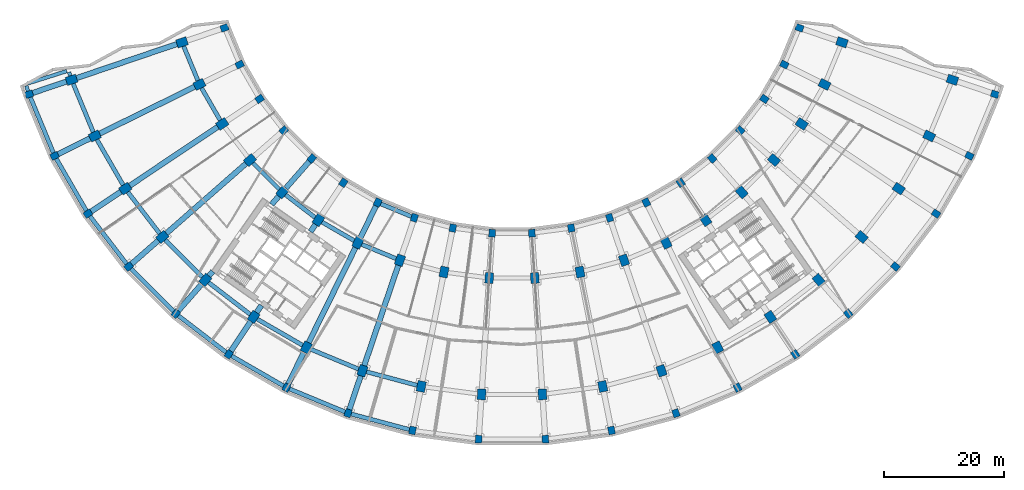
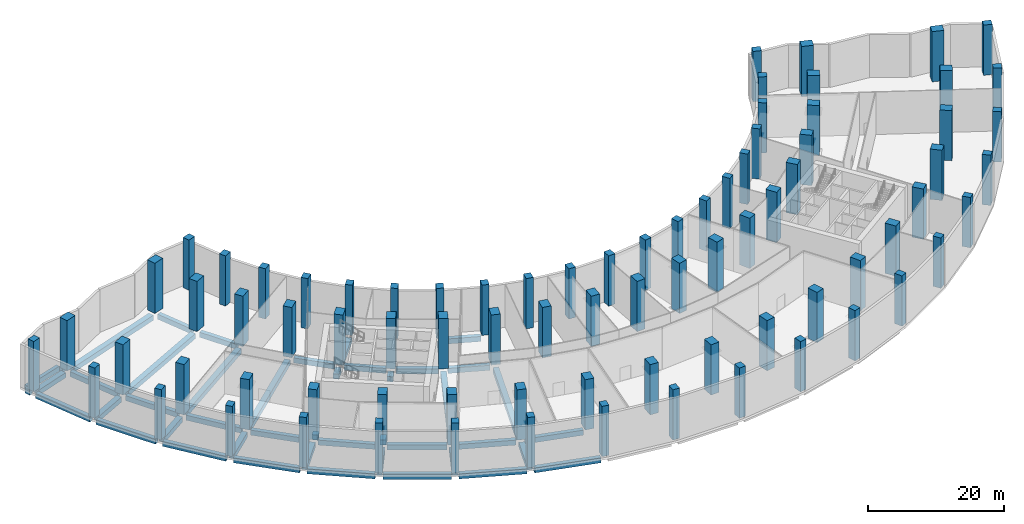
# One storey, part 1 of 17: 80 columns, 46 beams.
"""IFC4 building model written with IfcOpenShell, lengths in metres."""

from ifc_helpers import new_model, si_unit, direction, frame, origin, origin_2d, place, context, subcontext, project, spatial, rectangle, extrude, material, material_profile, profile_set, type_object, element, save


model = new_model("IFC4")

# Units and contexts
model_context = context("Model", 3, precision=1e-05, world=origin(), true_north=direction((0.0, 1.0)))
body_context = subcontext(model_context, "Body", "Model", "MODEL_VIEW")
ifc_project = project(units=[si_unit("LENGTHUNIT", "METRE"), si_unit("AREAUNIT", "SQUARE_METRE"), si_unit("VOLUMEUNIT", "CUBIC_METRE"), si_unit("PLANEANGLEUNIT", "RADIAN"), si_unit("MASSUNIT", "GRAM", prefix="KILO")], contexts=[model_context])

# Site, building, storey
site_placement = place(None, origin())
site = spatial("IfcSite", under=ifc_project, at=site_placement, CompositionType="ELEMENT")
building_placement = place(site_placement, origin())
building = spatial("IfcBuilding", under=site, at=building_placement, Name="Qamariyya Broadcast Tower", CompositionType="ELEMENT")
storey_placement = place(building_placement, frame((0.0, 0.0, 18.0)))
storey = spatial("IfcBuildingStorey", under=building, at=storey_placement, Name="L02", CompositionType="ELEMENT", Elevation=18.0)

# Columns
ifc_material_1 = material(Name="Concrete C70/85", Category="concrete")
ifc_material_profile_1 = material_profile(ifc_material_1, rectangle(XDim=1.10009765625, YDim=1.300048828125, at=origin_2d()))
ifc_profile_set_1 = profile_set([ifc_material_profile_1], Name="Concrete C70/85")
column_type_1 = type_object("IfcColumnType", Name="RC column 1100 x 1300 C70/85", PredefinedType="COLUMN", material=ifc_profile_set_1)
for number, where, z_axis, x_axis, name in (
    (1, (-48.056640625, -16.31298828125, 0.0), (0.0, 0.0, 1.0), (0.321439465303, -0.946930129495, 0.0), "Column C3 L02 A-R01"),
    (2, (-80.725830078125, -27.40283203125, 0.0), (0.0, 0.0, 1.0), (0.321439465303, -0.946930129495, 0.0), "Column C3 L02 D-R01"),
    (3, (-45.516357421875, -22.446044921875, 0.0), (0.0, 0.0, 1.0), (0.442288690219, -0.896872741533, 0.0), "Column C3 L02 A-R02"),
    (4, (-76.45849609375, -37.705078125, 0.0), (0.0, 0.0, 1.0), (0.442288690219, -0.896872741533, 0.0), "Column C3 L02 D-R02"),
    (5, (-42.197021484375, -28.195068359375, 0.0), (0.0, 0.0, 1.0), (0.55557023302, -0.831469612303, 0.0), "Column C3 L02 A-R03"),
    (6, (-70.8828125, -47.3623046875, 0.0), (0.0, 0.0, 1.0), (0.55557023302, -0.831469612303, 0.0), "Column C3 L02 D-R03"),
    (7, (-38.15576171875, -33.4619140625, 0.0), (0.0, 0.0, 1.0), (0.6593458151, -0.751839807479, 0.0), "Column C3 L02 A-R04"),
    (8, (-64.09423828125, -56.209228515625, 0.0), (0.0, 0.0, 1.0), (0.6593458151, -0.751839807479, 0.0), "Column C3 L02 D-R04"),
    (9, (-33.4619140625, -38.15576171875, 0.0), (0.0, 0.0, 1.0), (0.751839807479, -0.6593458151, 0.0), "Column C3 L02 A-R05"),
    (10, (-56.209228515625, -64.09423828125, 0.0), (0.0, 0.0, 1.0), (0.751839807479, -0.6593458151, 0.0), "Column C3 L02 D-R05"),
    (11, (-28.195068359375, -42.197021484375, 0.0), (0.0, 0.0, 1.0), (0.831469612303, -0.55557023302, 0.0), "Column C3 L02 A-R06"),
    (12, (-47.3623046875, -70.8828125, 0.0), (0.0, 0.0, 1.0), (0.831469612303, -0.55557023302, 0.0), "Column C3 L02 D-R06"),
    (13, (-22.446044921875, -45.516357421875, 0.0), (0.0, 0.0, 1.0), (0.896872741533, -0.442288690219, 0.0), "Column C3 L02 A-R07"),
    (14, (-37.705078125, -76.45849609375, 0.0), (0.0, 0.0, 1.0), (0.896872741533, -0.442288690219, 0.0), "Column C3 L02 D-R07"),
    (15, (-16.31298828125, -48.056640625, 0.0), (0.0, 0.0, 1.0), (0.946930129495, -0.321439465303, 0.0), "Column C3 L02 A-R08"),
    (16, (-27.40283203125, -80.725830078125, 0.0), (0.0, 0.0, 1.0), (0.946930129495, -0.321439465303, 0.0), "Column C3 L02 D-R08"),
    (17, (-9.90087890625, -49.77490234375, 0.0), (0.0, 0.0, 1.0), (0.980785280403, -0.195090322016, 0.0), "Column C3 L02 A-R09"),
    (18, (-16.63134765625, -83.612060546875, 0.0), (0.0, 0.0, 1.0), (0.980785280403, -0.195090322016, 0.0), "Column C3 L02 D-R09"),
    (19, (-3.319091796875, -50.641357421875, 0.0), (0.0, 0.0, 1.0), (0.997858923239, -0.06540312923, 0.0), "Column C3 L02 A-R10"),
    (20, (-5.57568359375, -85.0673828125, 0.0), (0.0, 0.0, 1.0), (0.997858923239, -0.06540312923, 0.0), "Column C3 L02 D-R10"),
    (21, (3.319091796875, -50.641357421875, 0.0), (0.0, 0.0, 1.0), (0.997858923239, 0.06540312923, 0.0), "Column C3 L02 A-R11"),
    (22, (5.57568359375, -85.0673828125, 0.0), (0.0, 0.0, 1.0), (0.997858923239, 0.06540312923, 0.0), "Column C3 L02 D-R11"),
    (23, (9.90087890625, -49.77490234375, 0.0), (0.0, 0.0, 1.0), (0.980785280403, 0.195090322016, 0.0), "Column C3 L02 A-R12"),
    (24, (16.63134765625, -83.612060546875, 0.0), (0.0, 0.0, 1.0), (0.980785280403, 0.195090322016, 0.0), "Column C3 L02 D-R12"),
    (25, (16.31298828125, -48.056640625, 0.0), (0.0, 0.0, 1.0), (0.946930129495, 0.321439465303, 0.0), "Column C3 L02 A-R13"),
    (26, (27.40283203125, -80.725830078125, 0.0), (0.0, 0.0, 1.0), (0.946930129495, 0.321439465303, 0.0), "Column C3 L02 D-R13"),
    (27, (22.446044921875, -45.516357421875, 0.0), (0.0, 0.0, 1.0), (0.896872741533, 0.442288690219, 0.0), "Column C3 L02 A-R14"),
    (28, (37.705078125, -76.45849609375, 0.0), (0.0, 0.0, 1.0), (0.896872741533, 0.442288690219, 0.0), "Column C3 L02 D-R14"),
    (29, (28.195068359375, -42.197021484375, 0.0), (0.0, 0.0, 1.0), (0.831469612303, 0.55557023302, 0.0), "Column C3 L02 A-R15"),
    (30, (47.3623046875, -70.8828125, 0.0), (0.0, 0.0, 1.0), (0.831469612303, 0.55557023302, 0.0), "Column C3 L02 D-R15"),
    (31, (33.4619140625, -38.15576171875, 0.0), (0.0, 0.0, 1.0), (0.751839807479, 0.6593458151, 0.0), "Column C3 L02 A-R16"),
    (32, (56.209228515625, -64.09423828125, 0.0), (0.0, 0.0, 1.0), (0.751839807479, 0.6593458151, 0.0), "Column C3 L02 D-R16"),
    (33, (38.15576171875, -33.4619140625, 0.0), (0.0, 0.0, 1.0), (0.6593458151, 0.751839807479, 0.0), "Column C3 L02 A-R17"),
    (34, (64.09423828125, -56.209228515625, 0.0), (0.0, 0.0, 1.0), (0.6593458151, 0.751839807479, 0.0), "Column C3 L02 D-R17"),
    (35, (42.197021484375, -28.195068359375, 0.0), (0.0, 0.0, 1.0), (0.55557023302, 0.831469612303, 0.0), "Column C3 L02 A-R18"),
    (36, (70.8828125, -47.3623046875, 0.0), (0.0, 0.0, 1.0), (0.55557023302, 0.831469612303, 0.0), "Column C3 L02 D-R18"),
    (37, (45.516357421875, -22.446044921875, 0.0), (0.0, 0.0, 1.0), (0.442288690219, 0.896872741533, 0.0), "Column C3 L02 A-R19"),
    (38, (76.45849609375, -37.705078125, 0.0), (0.0, 0.0, 1.0), (0.442288690219, 0.896872741533, 0.0), "Column C3 L02 D-R19"),
    (39, (48.056640625, -16.31298828125, 0.0), (0.0, 0.0, 1.0), (0.321439465303, 0.946930129495, 0.0), "Column C3 L02 A-R20"),
    (40, (80.725830078125, -27.40283203125, 0.0), (0.0, 0.0, 1.0), (0.321439465303, 0.946930129495, 0.0), "Column C3 L02 D-R20"),
):
    element("IfcColumn", number, at=place(storey_placement, frame(where, z_axis=z_axis, x_axis=x_axis)), inside=storey, type_object=column_type_1, Name=name, PredefinedType="COLUMN", context=body_context, shape_type="SweptSolid", body=[
        extrude(rectangle(XDim=1.10009765625, YDim=1.300048828125, at=origin_2d()), origin(), (0.0, 0.0, 1.0), 9.0),
    ])
ifc_material_profile_2 = material_profile(ifc_material_1, rectangle(XDim=1.39990234375, YDim=1.800048828125, at=origin_2d()))
ifc_profile_set_2 = profile_set([ifc_material_profile_2], Name="Concrete C70/85")
column_type_2 = type_object("IfcColumnType", Name="RC column 1400 x 1800 C70/85", PredefinedType="COLUMN", material=ifc_profile_set_2)
for number, where, z_axis, x_axis, name in (
    (41, (-55.15869140625, -18.723876953125, 0.0), (0.0, 0.0, 1.0), (0.321439465303, -0.946930129495, 0.0), "Column C4 L02 B-R01"),
    (42, (-73.623779296875, -24.991943359375, 0.0), (0.0, 0.0, 1.0), (0.321439465303, -0.946930129495, 0.0), "Column C4 L02 C-R01"),
    (43, (-52.242919921875, -25.763427734375, 0.0), (0.0, 0.0, 1.0), (0.442288690219, -0.896872741533, 0.0), "Column C4 L02 B-R02"),
    (44, (-69.73193359375, -34.387939453125, 0.0), (0.0, 0.0, 1.0), (0.442288690219, -0.896872741533, 0.0), "Column C4 L02 C-R02"),
    (45, (-48.43310546875, -32.362060546875, 0.0), (0.0, 0.0, 1.0), (0.55557023302, -0.831469612303, 0.0), "Column C4 L02 B-R03"),
    (46, (-64.646728515625, -43.195556640625, 0.0), (0.0, 0.0, 1.0), (0.55557023302, -0.831469612303, 0.0), "Column C4 L02 C-R03"),
    (47, (-43.794677734375, -38.406982421875, 0.0), (0.0, 0.0, 1.0), (0.6593458151, -0.751839807479, 0.0), "Column C4 L02 B-R04"),
    (48, (-58.45556640625, -51.26416015625, 0.0), (0.0, 0.0, 1.0), (0.6593458151, -0.751839807479, 0.0), "Column C4 L02 C-R04"),
    (49, (-38.406982421875, -43.794677734375, 0.0), (0.0, 0.0, 1.0), (0.751839807479, -0.6593458151, 0.0), "Column C4 L02 B-R05"),
    (50, (-51.26416015625, -58.45556640625, 0.0), (0.0, 0.0, 1.0), (0.751839807479, -0.6593458151, 0.0), "Column C4 L02 C-R05"),
    (51, (-32.362060546875, -48.43310546875, 0.0), (0.0, 0.0, 1.0), (0.831469612303, -0.55557023302, 0.0), "Column C4 L02 B-R06"),
    (52, (-43.195556640625, -64.646728515625, 0.0), (0.0, 0.0, 1.0), (0.831469612303, -0.55557023302, 0.0), "Column C4 L02 C-R06"),
    (53, (-25.763427734375, -52.242919921875, 0.0), (0.0, 0.0, 1.0), (0.896872741533, -0.442288690219, 0.0), "Column C4 L02 B-R07"),
    (54, (-34.387939453125, -69.73193359375, 0.0), (0.0, 0.0, 1.0), (0.896872741533, -0.442288690219, 0.0), "Column C4 L02 C-R07"),
    (55, (-18.723876953125, -55.15869140625, 0.0), (0.0, 0.0, 1.0), (0.946930129495, -0.321439465303, 0.0), "Column C4 L02 B-R08"),
    (56, (-24.991943359375, -73.623779296875, 0.0), (0.0, 0.0, 1.0), (0.946930129495, -0.321439465303, 0.0), "Column C4 L02 C-R08"),
    (57, (-11.364013671875, -57.130859375, 0.0), (0.0, 0.0, 1.0), (0.980785280403, -0.195090322016, 0.0), "Column C4 L02 B-R09"),
    (58, (-15.168212890625, -76.256103515625, 0.0), (0.0, 0.0, 1.0), (0.980785280403, -0.195090322016, 0.0), "Column C4 L02 C-R09"),
    (59, (-3.809814453125, -58.125244140625, 0.0), (0.0, 0.0, 1.0), (0.997858923239, -0.06540312923, 0.0), "Column C4 L02 B-R10"),
    (60, (-5.085205078125, -77.58349609375, 0.0), (0.0, 0.0, 1.0), (0.997858923239, -0.06540312923, 0.0), "Column C4 L02 C-R10"),
    (61, (3.809814453125, -58.125244140625, 0.0), (0.0, 0.0, 1.0), (0.997858923239, 0.06540312923, 0.0), "Column C4 L02 B-R11"),
    (62, (5.085205078125, -77.58349609375, 0.0), (0.0, 0.0, 1.0), (0.997858923239, 0.06540312923, 0.0), "Column C4 L02 C-R11"),
    (63, (11.364013671875, -57.130859375, 0.0), (0.0, 0.0, 1.0), (0.980785280403, 0.195090322016, 0.0), "Column C4 L02 B-R12"),
    (64, (15.168212890625, -76.256103515625, 0.0), (0.0, 0.0, 1.0), (0.980785280403, 0.195090322016, 0.0), "Column C4 L02 C-R12"),
    (65, (18.723876953125, -55.15869140625, 0.0), (0.0, 0.0, 1.0), (0.946930129495, 0.321439465303, 0.0), "Column C4 L02 B-R13"),
    (66, (24.991943359375, -73.623779296875, 0.0), (0.0, 0.0, 1.0), (0.946930129495, 0.321439465303, 0.0), "Column C4 L02 C-R13"),
    (67, (25.763427734375, -52.242919921875, 0.0), (0.0, 0.0, 1.0), (0.896872741533, 0.442288690219, 0.0), "Column C4 L02 B-R14"),
    (68, (34.387939453125, -69.73193359375, 0.0), (0.0, 0.0, 1.0), (0.896872741533, 0.442288690219, 0.0), "Column C4 L02 C-R14"),
    (69, (32.362060546875, -48.43310546875, 0.0), (0.0, 0.0, 1.0), (0.831469612303, 0.55557023302, 0.0), "Column C4 L02 B-R15"),
    (70, (43.195556640625, -64.646728515625, 0.0), (0.0, 0.0, 1.0), (0.831469612303, 0.55557023302, 0.0), "Column C4 L02 C-R15"),
    (71, (38.406982421875, -43.794677734375, 0.0), (0.0, 0.0, 1.0), (0.751839807479, 0.6593458151, 0.0), "Column C4 L02 B-R16"),
    (72, (51.26416015625, -58.45556640625, 0.0), (0.0, 0.0, 1.0), (0.751839807479, 0.6593458151, 0.0), "Column C4 L02 C-R16"),
    (73, (43.794677734375, -38.406982421875, 0.0), (0.0, 0.0, 1.0), (0.6593458151, 0.751839807479, 0.0), "Column C4 L02 B-R17"),
    (74, (58.45556640625, -51.26416015625, 0.0), (0.0, 0.0, 1.0), (0.6593458151, 0.751839807479, 0.0), "Column C4 L02 C-R17"),
    (75, (48.43310546875, -32.362060546875, 0.0), (0.0, 0.0, 1.0), (0.55557023302, 0.831469612303, 0.0), "Column C4 L02 B-R18"),
    (76, (64.646728515625, -43.195556640625, 0.0), (0.0, 0.0, 1.0), (0.55557023302, 0.831469612303, 0.0), "Column C4 L02 C-R18"),
    (77, (52.242919921875, -25.763427734375, 0.0), (0.0, 0.0, 1.0), (0.442288690219, 0.896872741533, 0.0), "Column C4 L02 B-R19"),
    (78, (69.73193359375, -34.387939453125, 0.0), (0.0, 0.0, 1.0), (0.442288690219, 0.896872741533, 0.0), "Column C4 L02 C-R19"),
    (79, (55.15869140625, -18.723876953125, 0.0), (0.0, 0.0, 1.0), (0.321439465303, 0.946930129495, 0.0), "Column C4 L02 B-R20"),
    (80, (73.623779296875, -24.991943359375, 0.0), (0.0, 0.0, 1.0), (0.321439465303, 0.946930129495, 0.0), "Column C4 L02 C-R20"),
):
    element("IfcColumn", number, at=place(storey_placement, frame(where, z_axis=z_axis, x_axis=x_axis)), inside=storey, type_object=column_type_2, Name=name, PredefinedType="COLUMN", context=body_context, shape_type="SweptSolid", body=[
        extrude(rectangle(XDim=1.39990234375, YDim=1.800048828125, at=origin_2d()), origin(), (0.0, 0.0, 1.0), 9.0),
    ])

# Beams
ifc_material_2 = material(Name="Concrete C50/60", Category="concrete")
ifc_material_profile_3 = material_profile(ifc_material_2, rectangle(XDim=0.699951171875, YDim=0.89990234375, at=origin_2d()))
ifc_profile_set_3 = profile_set([ifc_material_profile_3], Name="Concrete C50/60")
beam_type_1 = type_object("IfcBeamType", Name="RC edge beam 700 x 900 C50/60", PredefinedType="SPANDREL", material=ifc_profile_set_3)
beam_1_placement = place(storey_placement, frame((-21.93701171875, -45.727294921875, -0.85009765625), z_axis=(0.92389160204, -0.382654292645, 0.0), x_axis=(0.382654292645, 0.92389160204, 0.0)))
element("IfcBeam", 81, at=beam_1_placement, inside=storey, type_object=beam_type_1, Name="Edge beam B2 L02 A R07-R08", PredefinedType="SPANDREL", context=body_context, shape_type="SweptSolid", body=[
    extrude(rectangle(XDim=0.699951171875, YDim=0.89990234375, at=origin_2d()), origin(), (0.0, 0.0, 1.0), 5.5361328125),
])
for number, where, z_axis, x_axis, name in (
    (82, (-54.89013671875, -19.3720703125, -0.85009765625), (0.38268477858, -0.92387897489, 0.0), (0.92387897489, 0.38268477858, 0.0), "Edge beam B2 L02 B R01-R02"),
    (83, (-51.89208984375, -26.370849609375, -0.85009765625), (0.499995558535, -0.86602796805, 0.0), (0.86602796805, 0.499995558535, 0.0), "Edge beam B2 L02 B R02-R03"),
):
    element("IfcBeam", number, at=place(storey_placement, frame(where, z_axis=z_axis, x_axis=x_axis)), inside=storey, type_object=beam_type_1, Name=name, PredefinedType="SPANDREL", context=body_context, shape_type="SweptSolid", body=[
        extrude(rectangle(XDim=0.699951171875, YDim=0.89990234375, at=origin_2d()), origin(), (0.0, 0.0, 1.0), 6.21630859375),
    ])
for number, where, z_axis, x_axis, name in (
    (84, (-43.298583984375, -38.90283203125, -0.85009765625), (0.707106781187, -0.707106781187, 0.0), (0.707106781187, 0.707106781187, 0.0), "Edge beam B2 L02 B R04-R05"),
    (85, (-37.850341796875, -44.2216796875, -0.85009765625), (0.793349024913, -0.608767052878, 0.0), (0.608767052878, 0.793349024913, 0.0), "Edge beam B2 L02 B R05-R06"),
):
    element("IfcBeam", number, at=place(storey_placement, frame(where, z_axis=z_axis, x_axis=x_axis)), inside=storey, type_object=beam_type_1, Name=name, PredefinedType="SPANDREL", context=body_context, shape_type="SweptSolid", body=[
        extrude(rectangle(XDim=0.699951171875, YDim=0.89990234375, at=origin_2d()), origin(), (0.0, 0.0, 1.0), 6.216552734375),
    ])
for number, where, z_axis, x_axis, name in (
    (86, (-31.75439453125, -48.783935546875, -0.85009765625), (0.86602796805, -0.499995558535, 0.0), (0.499995558535, 0.86602796805, 0.0), "Edge beam B2 L02 B R06-R07"),
    (87, (-25.115234375, -52.51123046875, -0.85009765625), (0.92387897489, -0.38268477858, 0.0), (0.38268477858, 0.92387897489, 0.0), "Edge beam B2 L02 B R07-R08"),
):
    element("IfcBeam", number, at=place(storey_placement, frame(where, z_axis=z_axis, x_axis=x_axis)), inside=storey, type_object=beam_type_1, Name=name, PredefinedType="SPANDREL", context=body_context, shape_type="SweptSolid", body=[
        extrude(rectangle(XDim=0.699951171875, YDim=0.89990234375, at=origin_2d()), origin(), (0.0, 0.0, 1.0), 6.21630859375),
    ])
beam_2_placement = place(storey_placement, frame((-73.35546875, -25.64013671875, -0.85009765625), z_axis=(0.38270841035, -0.923869185896, 0.0), x_axis=(0.923869185896, 0.38270841035, 0.0)))
element("IfcBeam", 88, at=beam_2_placement, inside=storey, type_object=beam_type_1, Name="Edge beam B2 L02 C R01-R02", PredefinedType="SPANDREL", context=body_context, shape_type="SweptSolid", body=[
    extrude(rectangle(XDim=0.699951171875, YDim=0.89990234375, at=origin_2d()), origin(), (0.0, 0.0, 1.0), 8.76708984375),
])
beam_3_placement = place(storey_placement, frame((-69.381103515625, -34.995361328125, -0.85009765625), z_axis=(0.499987607361, -0.86603255856, 0.0), x_axis=(0.86603255856, 0.499987607361, 0.0)))
element("IfcBeam", 89, at=beam_3_placement, inside=storey, type_object=beam_type_1, Name="Edge beam B2 L02 C R02-R03", PredefinedType="SPANDREL", context=body_context, shape_type="SweptSolid", body=[
    extrude(rectangle(XDim=0.699951171875, YDim=0.89990234375, at=origin_2d()), origin(), (0.0, 0.0, 1.0), 8.767333984375),
])
for number, where, z_axis, x_axis, name in (
    (90, (-64.2197265625, -43.752197265625, -0.85009765625), (0.608772321187, -0.79334498231, 0.0), (0.79334498231, 0.608772321187, 0.0), "Edge beam B2 L02 C R03-R04"),
    (91, (-57.95947265625, -51.76025390625, -0.85009765625), (0.707106781187, -0.707106781187, 0.0), (0.707106781187, 0.707106781187, 0.0), "Edge beam B2 L02 C R04-R05"),
    (92, (-50.70751953125, -58.882568359375, -0.85009765625), (0.79334498231, -0.608772321187, 0.0), (0.608772321187, 0.79334498231, 0.0), "Edge beam B2 L02 C R05-R06"),
):
    element("IfcBeam", number, at=place(storey_placement, frame(where, z_axis=z_axis, x_axis=x_axis)), inside=storey, type_object=beam_type_1, Name=name, PredefinedType="SPANDREL", context=body_context, shape_type="SweptSolid", body=[
        extrude(rectangle(XDim=0.699951171875, YDim=0.89990234375, at=origin_2d()), origin(), (0.0, 0.0, 1.0), 8.76708984375),
    ])
beam_4_placement = place(storey_placement, frame((-42.588134765625, -64.99755859375, -0.85009765625), z_axis=(0.86603255856, -0.499987607361, 0.0), x_axis=(0.499987607361, 0.86603255856, 0.0)))
element("IfcBeam", 93, at=beam_4_placement, inside=storey, type_object=beam_type_1, Name="Edge beam B2 L02 C R06-R07", PredefinedType="SPANDREL", context=body_context, shape_type="SweptSolid", body=[
    extrude(rectangle(XDim=0.699951171875, YDim=0.89990234375, at=origin_2d()), origin(), (0.0, 0.0, 1.0), 8.767333984375),
])
for number, where, z_axis, x_axis, name in (
    (94, (-33.73974609375, -70.000244140625, -0.85009765625), (0.923869185896, -0.38270841035, 0.0), (0.38270841035, 0.923869185896, 0.0), "Edge beam B2 L02 C R07-R08"),
    (95, (-24.314208984375, -73.805419921875, -0.85009765625), (0.965926422845, -0.258816818714, 0.0), (0.258816818714, 0.965926422845, 0.0), "Edge beam B2 L02 C R08-R09"),
):
    element("IfcBeam", number, at=place(storey_placement, frame(where, z_axis=z_axis, x_axis=x_axis)), inside=storey, type_object=beam_type_1, Name=name, PredefinedType="SPANDREL", context=body_context, shape_type="SweptSolid", body=[
        extrude(rectangle(XDim=0.699951171875, YDim=0.89990234375, at=origin_2d()), origin(), (0.0, 0.0, 1.0), 8.76708984375),
    ])
for number, where, z_axis, x_axis, name in (
    (96, (-80.514892578125, -27.911865234375, -0.85009765625), (0.382677229034, -0.923882101991, 0.0), (0.923882101991, 0.382677229034, 0.0), "Edge beam B2 L02 D R01-R02"),
    (97, (-76.182861328125, -38.182373046875, -0.85009765625), (0.499995851058, -0.866027799164, 0.0), (0.866027799164, 0.499995851058, 0.0), "Edge beam B2 L02 D R02-R03"),
):
    element("IfcBeam", number, at=place(storey_placement, frame(where, z_axis=z_axis, x_axis=x_axis)), inside=storey, type_object=beam_type_1, Name=name, PredefinedType="SPANDREL", context=body_context, shape_type="SweptSolid", body=[
        extrude(rectangle(XDim=0.699951171875, YDim=0.89990234375, at=origin_2d()), origin(), (0.0, 0.0, 1.0), 10.048828125),
    ])
for number, where, z_axis, x_axis, name in (
    (98, (-70.54736328125, -47.799560546875, -0.85009765625), (0.608760468816, -0.793354077072, 0.0), (0.793354077072, 0.608760468816, 0.0), "Edge beam B2 L02 D R03-R04"),
    (99, (-63.70458984375, -56.598876953125, -0.85009765625), (0.707106781187, -0.707106781187, 0.0), (0.707106781187, 0.707106781187, 0.0), "Edge beam B2 L02 D R04-R05"),
    (100, (-55.77197265625, -64.429931640625, -0.85009765625), (0.793354077072, -0.608760468816, 0.0), (0.608760468816, 0.793354077072, 0.0), "Edge beam B2 L02 D R05-R06"),
):
    element("IfcBeam", number, at=place(storey_placement, frame(where, z_axis=z_axis, x_axis=x_axis)), inside=storey, type_object=beam_type_1, Name=name, PredefinedType="SPANDREL", context=body_context, shape_type="SweptSolid", body=[
        extrude(rectangle(XDim=0.699951171875, YDim=0.89990234375, at=origin_2d()), origin(), (0.0, 0.0, 1.0), 10.049072265625),
    ])
for number, where, z_axis, x_axis, name in (
    (101, (-46.885009765625, -71.158447265625, -0.85009765625), (0.866027799164, -0.499995851058, 0.0), (0.499995851058, 0.866027799164, 0.0), "Edge beam B2 L02 D R06-R07"),
    (102, (-37.19580078125, -76.66943359375, -0.85009765625), (0.923882101991, -0.382677229034, 0.0), (0.382677229034, 0.923882101991, 0.0), "Edge beam B2 L02 D R07-R08"),
    (103, (-26.870361328125, -80.868408203125, -0.85009765625), (0.96592657939, -0.258816234475, 0.0), (0.258816234475, 0.96592657939, 0.0), "Edge beam B2 L02 D R08-R09"),
):
    element("IfcBeam", number, at=place(storey_placement, frame(where, z_axis=z_axis, x_axis=x_axis)), inside=storey, type_object=beam_type_1, Name=name, PredefinedType="SPANDREL", context=body_context, shape_type="SweptSolid", body=[
        extrude(rectangle(XDim=0.699951171875, YDim=0.89990234375, at=origin_2d()), origin(), (0.0, 0.0, 1.0), 10.048828125),
    ])
ifc_material_profile_4 = material_profile(ifc_material_2, rectangle(XDim=0.60009765625, YDim=0.89990234375, at=origin_2d()))
ifc_profile_set_4 = profile_set([ifc_material_profile_4], Name="Concrete C50/60")
beam_type_2 = type_object("IfcBeamType", Name="RC horn beam 600 x 900 C50/60", PredefinedType="BEAM", material=ifc_profile_set_4)
beam_5_placement = place(storey_placement, frame((-73.841796875, -24.32666015625, -0.85009765625), z_axis=(-0.311677221784, 0.95018803898, 0.0), x_axis=(-0.95018803898, -0.311677221784, 0.0)))
element("IfcBeam", 104, at=beam_5_placement, inside=storey, type_object=beam_type_2, Name="Horn beam B3 L02 W C-R01", PredefinedType="BEAM", context=body_context, shape_type="SweptSolid", body=[
    extrude(rectangle(XDim=0.60009765625, YDim=0.89990234375, at=origin_2d()), origin(), (0.0, 0.0, 1.0), 0.628173828125),
])
beam_6_placement = place(storey_placement, frame((-80.897216796875, -26.880126953125, -0.85009765625), z_axis=(-0.31136908678, 0.95028905697, 0.0), x_axis=(-0.95028905697, -0.31136908678, 0.0)))
element("IfcBeam", 105, at=beam_6_placement, inside=storey, type_object=beam_type_2, Name="Horn beam B3 L02 W D-R01", PredefinedType="BEAM", context=body_context, shape_type="SweptSolid", body=[
    extrude(rectangle(XDim=0.60009765625, YDim=0.89990234375, at=origin_2d()), origin(), (0.0, 0.0, 1.0), 0.935302734375),
])
ifc_material_profile_5 = material_profile(ifc_material_2, rectangle(XDim=0.60009765625, YDim=0.89990234375, at=origin_2d()))
ifc_profile_set_5 = profile_set([ifc_material_profile_5], Name="Concrete C50/60")
beam_type_3 = type_object("IfcBeamType", Name="RC horn cap beam 600 x 900 C50/60", PredefinedType="BEAM", material=ifc_profile_set_5)
beam_7_placement = place(storey_placement, frame((-74.4169921875, -23.53515625, -0.85009765625), z_axis=(-0.953456380288, -0.301530978321, 0.0), x_axis=(0.301530978321, -0.953456380288, 0.0)))
element("IfcBeam", 106, at=beam_7_placement, inside=storey, type_object=beam_type_3, Name="Horn cap beam B4 L02 W C-D", PredefinedType="BEAM", context=body_context, shape_type="SweptSolid", body=[
    extrude(rectangle(XDim=0.60009765625, YDim=0.89990234375, at=origin_2d()), origin(), (0.0, 0.0, 1.0), 6.89990234375),
])
ifc_material_profile_6 = material_profile(ifc_material_2, rectangle(XDim=0.89990234375, YDim=0.89990234375, at=origin_2d()))
ifc_profile_set_6 = profile_set([ifc_material_profile_6], Name="Concrete C50/60")
beam_type_4 = type_object("IfcBeamType", Name="RC radial beam 900 x 900 C50/60", PredefinedType="BEAM", material=ifc_profile_set_6)
beam_8_placement = place(storey_placement, frame((-56.010986328125, -19.01318359375, -0.85009765625), z_axis=(-0.946929601856, -0.321441019674, 0.0), x_axis=(0.321441019674, -0.946929601856, 0.0)))
element("IfcBeam", 107, at=beam_8_placement, inside=storey, type_object=beam_type_4, Name="Radial beam B1 L02 R01 B-C", PredefinedType="BEAM", context=body_context, shape_type="SweptSolid", body=[
    extrude(rectangle(XDim=0.89990234375, YDim=0.89990234375, at=origin_2d()), origin(), (0.0, 0.0, 1.0), 17.699951171875),
])
beam_9_placement = place(storey_placement, frame((-74.47607421875, -25.28125, -0.85009765625), z_axis=(-0.946929197619, -0.32144221051, 0.0), x_axis=(0.32144221051, -0.946929197619, 0.0)))
element("IfcBeam", 108, at=beam_9_placement, inside=storey, type_object=beam_type_4, Name="Radial beam B1 L02 R01 C-D", PredefinedType="BEAM", context=body_context, shape_type="SweptSolid", body=[
    extrude(rectangle(XDim=0.89990234375, YDim=0.89990234375, at=origin_2d()), origin(), (0.0, 0.0, 1.0), 5.949951171875),
])
beam_10_placement = place(storey_placement, frame((-53.050048828125, -26.161376953125, -0.85009765625), z_axis=(-0.896868921808, -0.442296435771, 0.0), x_axis=(0.442296435771, -0.896868921808, 0.0)))
element("IfcBeam", 109, at=beam_10_placement, inside=storey, type_object=beam_type_4, Name="Radial beam B1 L02 R02 B-C", PredefinedType="BEAM", context=body_context, shape_type="SweptSolid", body=[
    extrude(rectangle(XDim=0.89990234375, YDim=0.89990234375, at=origin_2d()), origin(), (0.0, 0.0, 1.0), 17.699951171875),
])
beam_11_placement = place(storey_placement, frame((-70.5390625, -34.785888671875, -0.85009765625), z_axis=(-0.896859276255, -0.442315994054, 0.0), x_axis=(0.442315994054, -0.896859276255, 0.0)))
element("IfcBeam", 110, at=beam_11_placement, inside=storey, type_object=beam_type_4, Name="Radial beam B1 L02 R02 C-D", PredefinedType="BEAM", context=body_context, shape_type="SweptSolid", body=[
    extrude(rectangle(XDim=0.89990234375, YDim=0.89990234375, at=origin_2d()), origin(), (0.0, 0.0, 1.0), 5.9501953125),
])
beam_12_placement = place(storey_placement, frame((-49.181396484375, -32.862060546875, -0.85009765625), z_axis=(-0.831472648212, -0.555565689433, 0.0), x_axis=(0.555565689433, -0.831472648212, 0.0)))
element("IfcBeam", 111, at=beam_12_placement, inside=storey, type_object=beam_type_4, Name="Radial beam B1 L02 R03 B-C", PredefinedType="BEAM", context=body_context, shape_type="SweptSolid", body=[
    extrude(rectangle(XDim=0.89990234375, YDim=0.89990234375, at=origin_2d()), origin(), (0.0, 0.0, 1.0), 17.699951171875),
])
beam_13_placement = place(storey_placement, frame((-65.39501953125, -43.695556640625, -0.85009765625), z_axis=(-0.831469080044, -0.555571029599, 0.0), x_axis=(0.555571029599, -0.831469080044, 0.0)))
element("IfcBeam", 112, at=beam_13_placement, inside=storey, type_object=beam_type_4, Name="Radial beam B1 L02 R03 C-D", PredefinedType="BEAM", context=body_context, shape_type="SweptSolid", body=[
    extrude(rectangle(XDim=0.89990234375, YDim=0.89990234375, at=origin_2d()), origin(), (0.0, 0.0, 1.0), 5.949951171875),
])
beam_14_placement = place(storey_placement, frame((-44.471435546875, -39.000244140625, -0.85009765625), z_axis=(-0.751835404461, -0.659350835746, 0.0), x_axis=(0.659350835746, -0.751835404461, 0.0)))
element("IfcBeam", 113, at=beam_14_placement, inside=storey, type_object=beam_type_4, Name="Radial beam B1 L02 R04 B-C", PredefinedType="BEAM", context=body_context, shape_type="SweptSolid", body=[
    extrude(rectangle(XDim=0.89990234375, YDim=0.89990234375, at=origin_2d()), origin(), (0.0, 0.0, 1.0), 17.699951171875),
])
beam_15_placement = place(storey_placement, frame((-59.132080078125, -51.857666015625, -0.85009765625), z_axis=(-0.75185438517, -0.659329192059, 0.0), x_axis=(0.659329192059, -0.75185438517, 0.0)))
element("IfcBeam", 114, at=beam_15_placement, inside=storey, type_object=beam_type_4, Name="Radial beam B1 L02 R04 C-D", PredefinedType="BEAM", context=body_context, shape_type="SweptSolid", body=[
    extrude(rectangle(XDim=0.89990234375, YDim=0.89990234375, at=origin_2d()), origin(), (0.0, 0.0, 1.0), 5.9501953125),
])
beam_16_placement = place(storey_placement, frame((-33.890380859375, -38.64453125, -0.85009765625), z_axis=(-0.659349532377, -0.751836547498, 0.0), x_axis=(0.751836547498, -0.659349532377, 0.0)))
element("IfcBeam", 115, at=beam_16_placement, inside=storey, type_object=beam_type_4, Name="Radial beam B1 L02 R05 A-B", PredefinedType="BEAM", context=body_context, shape_type="SweptSolid", body=[
    extrude(rectangle(XDim=0.89990234375, YDim=0.89990234375, at=origin_2d()), origin(), (0.0, 0.0, 1.0), 5.949951171875),
])
beam_17_placement = place(storey_placement, frame((-39.000244140625, -44.471435546875, -0.85009765625), z_axis=(-0.65939107141, -0.751800116351, 0.0), x_axis=(0.751800116351, -0.65939107141, 0.0)))
element("IfcBeam", 116, at=beam_17_placement, inside=storey, type_object=beam_type_4, Name="Radial beam B1 L02 R05 B-C", PredefinedType="BEAM", context=body_context, shape_type="SweptSolid", body=[
    extrude(rectangle(XDim=0.89990234375, YDim=0.89990234375, at=origin_2d()), origin(), (0.0, 0.0, 1.0), 1.8125),
])
beam_18_placement = place(storey_placement, frame((-50.011962890625, -57.027587890625, -0.85009765625), z_axis=(-0.659282746956, -0.751895112077, 0.0), x_axis=(0.751895112077, -0.659282746956, 0.0)))
element("IfcBeam", 117, at=beam_18_placement, inside=storey, type_object=beam_type_4, Name="Radial beam B1 L02 R05 B-C", PredefinedType="BEAM", context=body_context, shape_type="SweptSolid", body=[
    extrude(rectangle(XDim=0.89990234375, YDim=0.89990234375, at=origin_2d()), origin(), (0.0, 0.0, 1.0), 0.9990234375),
])
beam_19_placement = place(storey_placement, frame((-51.857666015625, -59.132080078125, -0.85009765625), z_axis=(-0.659329192059, -0.75185438517, 0.0), x_axis=(0.75185438517, -0.659329192059, 0.0)))
element("IfcBeam", 118, at=beam_19_placement, inside=storey, type_object=beam_type_4, Name="Radial beam B1 L02 R05 C-D", PredefinedType="BEAM", context=body_context, shape_type="SweptSolid", body=[
    extrude(rectangle(XDim=0.89990234375, YDim=0.89990234375, at=origin_2d()), origin(), (0.0, 0.0, 1.0), 5.9501953125),
])
beam_20_placement = place(storey_placement, frame((-32.862060546875, -49.181396484375, -0.85009765625), z_axis=(-0.555469378272, -0.831536992443, 0.0), x_axis=(0.831536992443, -0.555469378272, 0.0)))
element("IfcBeam", 119, at=beam_20_placement, inside=storey, type_object=beam_type_4, Name="Radial beam B1 L02 R06 B-C", PredefinedType="BEAM", context=body_context, shape_type="SweptSolid", body=[
    extrude(rectangle(XDim=0.89990234375, YDim=0.89990234375, at=origin_2d()), origin(), (0.0, 0.0, 1.0), 1.464599609375),
])
beam_21_placement = place(storey_placement, frame((-41.89990234375, -62.707763671875, -0.85009765625), z_axis=(-0.555604740558, -0.831446554067, 0.0), x_axis=(0.831446554067, -0.555604740558, 0.0)))
element("IfcBeam", 120, at=beam_21_placement, inside=storey, type_object=beam_type_4, Name="Radial beam B1 L02 R06 B-C", PredefinedType="BEAM", context=body_context, shape_type="SweptSolid", body=[
    extrude(rectangle(XDim=0.89990234375, YDim=0.89990234375, at=origin_2d()), origin(), (0.0, 0.0, 1.0), 1.43212890625),
])
beam_22_placement = place(storey_placement, frame((-43.695556640625, -65.39501953125, -0.85009765625), z_axis=(-0.555571029599, -0.831469080044, 0.0), x_axis=(0.831469080044, -0.555571029599, 0.0)))
element("IfcBeam", 121, at=beam_22_placement, inside=storey, type_object=beam_type_4, Name="Radial beam B1 L02 R06 C-D", PredefinedType="BEAM", context=body_context, shape_type="SweptSolid", body=[
    extrude(rectangle(XDim=0.89990234375, YDim=0.89990234375, at=origin_2d()), origin(), (0.0, 0.0, 1.0), 5.949951171875),
])
beam_23_placement = place(storey_placement, frame((-22.733642578125, -46.099365234375, -0.85009765625), z_axis=(-0.442299266236, -0.896867525941, 0.0), x_axis=(0.896867525941, -0.442299266236, 0.0)))
element("IfcBeam", 122, at=beam_23_placement, inside=storey, type_object=beam_type_4, Name="Radial beam B1 L02 R07 A-B", PredefinedType="BEAM", context=body_context, shape_type="SweptSolid", body=[
    extrude(rectangle(XDim=0.89990234375, YDim=0.89990234375, at=origin_2d()), origin(), (0.0, 0.0, 1.0), 5.94970703125),
])
beam_24_placement = place(storey_placement, frame((-26.161376953125, -53.050048828125, -0.85009765625), z_axis=(-0.442296435771, -0.896868921808, 0.0), x_axis=(0.896868921808, -0.442296435771, 0.0)))
element("IfcBeam", 123, at=beam_24_placement, inside=storey, type_object=beam_type_4, Name="Radial beam B1 L02 R07 B-C", PredefinedType="BEAM", context=body_context, shape_type="SweptSolid", body=[
    extrude(rectangle(XDim=0.89990234375, YDim=0.89990234375, at=origin_2d()), origin(), (0.0, 0.0, 1.0), 17.699951171875),
])
beam_25_placement = place(storey_placement, frame((-34.785888671875, -70.5390625, -0.85009765625), z_axis=(-0.442315994054, -0.896859276255, 0.0), x_axis=(0.896859276255, -0.442315994054, 0.0)))
element("IfcBeam", 124, at=beam_25_placement, inside=storey, type_object=beam_type_4, Name="Radial beam B1 L02 R07 C-D", PredefinedType="BEAM", context=body_context, shape_type="SweptSolid", body=[
    extrude(rectangle(XDim=0.89990234375, YDim=0.89990234375, at=origin_2d()), origin(), (0.0, 0.0, 1.0), 5.9501953125),
])
beam_26_placement = place(storey_placement, frame((-19.01318359375, -56.010986328125, -0.85009765625), z_axis=(-0.321441019674, -0.946929601856, 0.0), x_axis=(0.946929601856, -0.321441019674, 0.0)))
element("IfcBeam", 125, at=beam_26_placement, inside=storey, type_object=beam_type_4, Name="Radial beam B1 L02 R08 B-C", PredefinedType="BEAM", context=body_context, shape_type="SweptSolid", body=[
    extrude(rectangle(XDim=0.89990234375, YDim=0.89990234375, at=origin_2d()), origin(), (0.0, 0.0, 1.0), 17.699951171875),
])
beam_27_placement = place(storey_placement, frame((-25.28125, -74.47607421875, -0.85009765625), z_axis=(-0.32144221051, -0.946929197619, 0.0), x_axis=(0.946929197619, -0.32144221051, 0.0)))
element("IfcBeam", 126, at=beam_27_placement, inside=storey, type_object=beam_type_4, Name="Radial beam B1 L02 R08 C-D", PredefinedType="BEAM", context=body_context, shape_type="SweptSolid", body=[
    extrude(rectangle(XDim=0.89990234375, YDim=0.89990234375, at=origin_2d()), origin(), (0.0, 0.0, 1.0), 5.949951171875),
])

save(model, "model.ifc")
